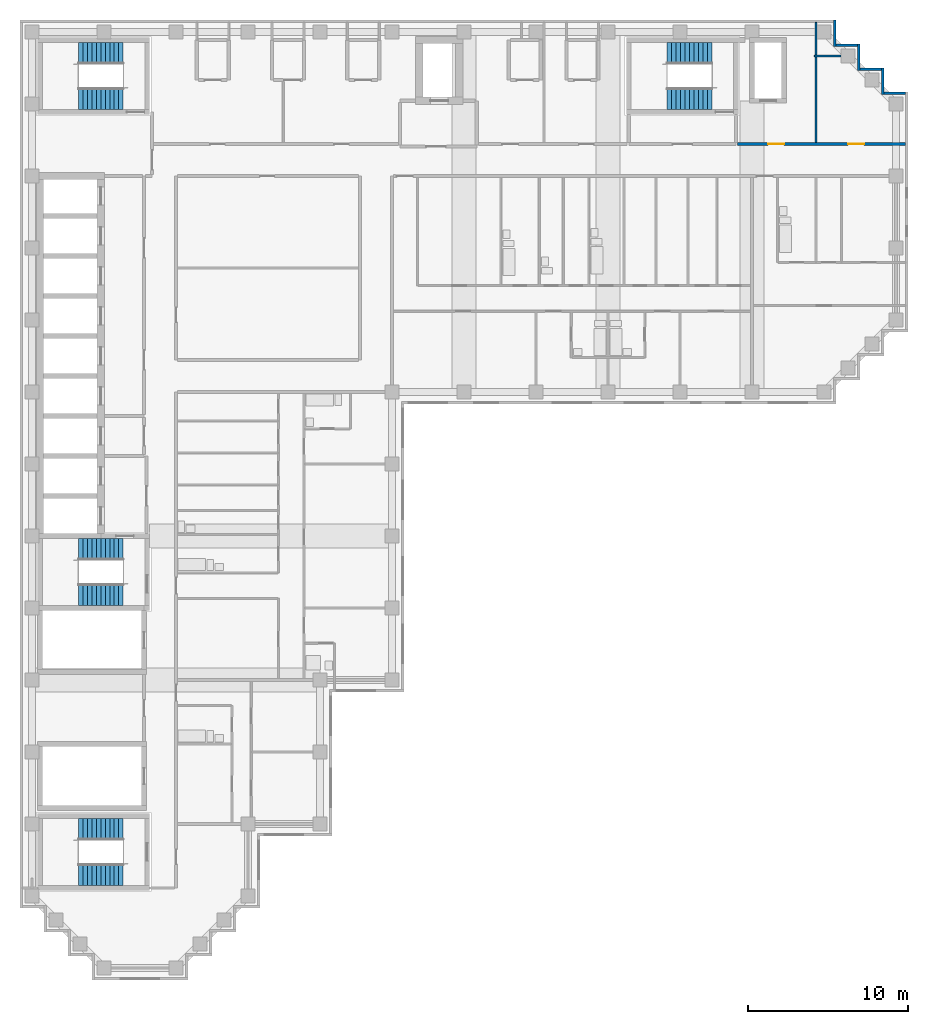
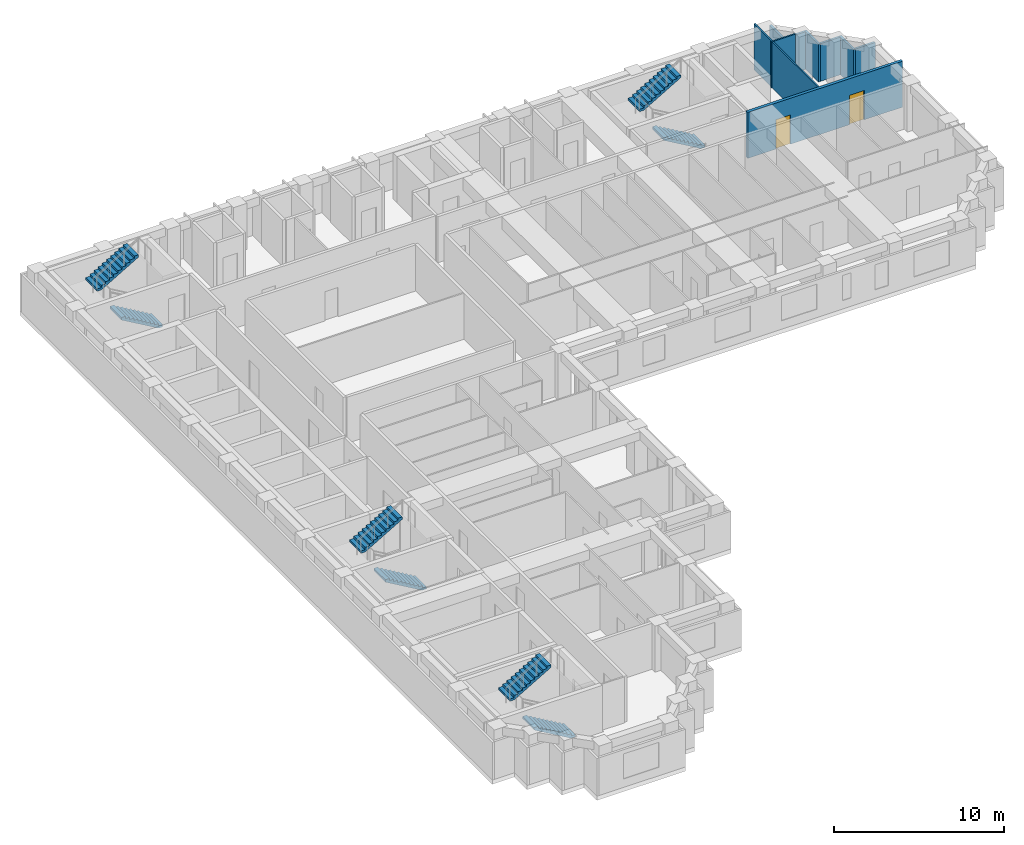
# One storey, part 8 of 10: 9 walls, 8 stair flights, 2 doors, 2 openings, 4 elements without a shape of their own.
"""IFC4 building model written with IfcOpenShell, lengths in metres."""

from ifc_helpers import new_model, si_unit, direction, frame, frame_2d, origin, place, context, subcontext, project, spatial, polyline, rectangle, outline, extrude, material, layer, layer_set, type_object, element, fill, aggregate, save


model = new_model("IFC4")

# Units and contexts
model_context = context("Model", 3, precision=1e-05, world=origin(), true_north=direction((0.0, 1.0)))
body_context = subcontext(model_context, "Body", "Model", "MODEL_VIEW")
ifc_project = project(units=[si_unit("LENGTHUNIT", "METRE"), si_unit("AREAUNIT", "SQUARE_METRE"), si_unit("VOLUMEUNIT", "CUBIC_METRE"), si_unit("PLANEANGLEUNIT", "RADIAN"), si_unit("MASSUNIT", "GRAM", prefix="KILO")], contexts=[model_context])

# Site, building, storey
site_placement = place(None, origin())
site = spatial("IfcSite", under=ifc_project, at=site_placement, CompositionType="ELEMENT")
building_placement = place(site_placement, origin())
building = spatial("IfcBuilding", under=site, at=building_placement, Name="Firuza Court", CompositionType="ELEMENT")
storey_placement = place(building_placement, frame((0.0, 0.0, 197.0)))
storey = spatial("IfcBuildingStorey", under=building, at=storey_placement, Name="L50", CompositionType="ELEMENT", Elevation=197.0)

# Wall, openings, doors
ifc_material_1 = material(Name="Blockwork, plastered both sides", Category="masonry")
ifc_layer_1 = layer(ifc_material_1, 0.199951171875)
ifc_layer_set_1 = layer_set([ifc_layer_1], Name="Blockwork, plastered both sides")
wall_type_1 = type_object("IfcWallType", Name="Corridor wall 200", PredefinedType="PARTITIONING", material=ifc_layer_set_1)
wall_1_placement = place(storey_placement, frame((44.10009765625, 51.5, 0.0), z_axis=(0.0, 0.0, 1.0), x_axis=(1.0, 0.0, 0.0)))
wall_1 = element("IfcWall", 1, at=wall_1_placement, inside=storey, type_object=wall_type_1, Name="Corridor wall 200 L50", PredefinedType="PARTITIONING", context=body_context, shape_type="SweptSolid", body=[
    extrude(rectangle(XDim=10.5, YDim=0.199951171875, at=frame_2d((5.25, 0.0))), origin(), (0.0, 0.0, 1.0), 3.300048828125),
])
opening_1_placement = place(wall_1_placement, frame((1.89990234375, 0.0, 0.0)))
opening_1 = element("IfcOpeningElement", 2, at=opening_1_placement, cuts=wall_1, Name="Opening D50063", PredefinedType="OPENING", context=body_context, shape_type="SweptSolid", body=[
    extrude(rectangle(XDim=1.0, YDim=2.10009765625, at=frame_2d((0.5, 1.050048828125))), frame((0.0, 0.11181640625, 0.0), z_axis=(0.0, -1.0, 0.0), x_axis=(1.0, 0.0, 0.0)), (0.0, 0.0, 1.0), 0.223876953125),
])
opening_2_placement = place(wall_1_placement, frame((6.89990234375, 0.0, 0.0)))
opening_2 = element("IfcOpeningElement", 3, at=opening_2_placement, cuts=wall_1, Name="Opening D50064", PredefinedType="OPENING", context=body_context, shape_type="SweptSolid", body=[
    extrude(rectangle(XDim=1.0, YDim=2.10009765625, at=frame_2d((0.5, 1.050048828125))), frame((0.0, 0.11181640625, 0.0), z_axis=(0.0, -1.0, 0.0), x_axis=(1.0, 0.0, 0.0)), (0.0, 0.0, 1.0), 0.223876953125),
])
ifc_material_2 = material(Name="Timber door leaf in hardwood frame", Category="wood")
door_type = type_object("IfcDoorType", Name="Store door 1000", OperationType="SINGLE_SWING_LEFT", PredefinedType="DOOR", material=ifc_material_2)
door_1_placement = place(opening_1_placement, origin())
door_1 = element("IfcDoor", 4, at=door_1_placement, inside=storey, type_object=door_type, Name="Valet store door", OperationType="SINGLE_SWING_LEFT", OverallHeight=2.10009765625, OverallWidth=1.0, PredefinedType="DOOR", context=body_context, shape_type="SweptSolid", body=[
    extrude(rectangle(XDim=1.0, YDim=2.10009765625, at=frame_2d((0.5, 1.050048828125))), frame((0.0, 0.02490234375, 0.0), z_axis=(0.0, -1.0, 0.0), x_axis=(1.0, 0.0, 0.0)), (0.0, 0.0, 1.0), 0.050048828125),
])
fill(opening_1, door_1)
door_2_placement = place(opening_2_placement, origin())
door_2 = element("IfcDoor", 5, at=door_2_placement, inside=storey, type_object=door_type, Name="Cleaner's store door", OperationType="SINGLE_SWING_LEFT", OverallHeight=2.10009765625, OverallWidth=1.0, PredefinedType="DOOR", context=body_context, shape_type="SweptSolid", body=[
    extrude(rectangle(XDim=1.0, YDim=2.10009765625, at=frame_2d((0.5, 1.050048828125))), frame((0.0, 0.02490234375, 0.0), z_axis=(0.0, -1.0, 0.0), x_axis=(1.0, 0.0, 0.0)), (0.0, 0.0, 1.0), 0.050048828125),
])
fill(opening_2, door_2)

# Walls
ifc_material_3 = material(Name="Timber stud partition, plasterboard both sides", Category="wood")
ifc_layer_2 = layer(ifc_material_3, 0.10009765625)
ifc_layer_set_2 = layer_set([ifc_layer_2], Name="Timber stud partition, plasterboard both sides")
wall_type_2 = type_object("IfcWallType", Name="Partition wall 100", PredefinedType="PARTITIONING", material=ifc_layer_set_2)
wall_2_placement = place(storey_placement, frame((49.0, 51.60009765625, 0.0), z_axis=(0.0, 0.0, 1.0), x_axis=(0.0, 1.0, 0.0)))
element("IfcWall", 6, at=wall_2_placement, inside=storey, type_object=wall_type_2, Name="Partition wall 100 L50", PredefinedType="PARTITIONING", context=body_context, shape_type="SweptSolid", body=[
    extrude(rectangle(XDim=7.5, YDim=0.10009765625, at=frame_2d((3.75, 0.0))), origin(), (0.0, 0.0, 1.0), 3.300048828125),
])
wall_3_placement = place(storey_placement, frame((48.89990234375, 57.0, 0.0), z_axis=(0.0, 0.0, 1.0), x_axis=(1.0, 0.0, 0.0)))
element("IfcWall", 7, at=wall_3_placement, inside=storey, type_object=wall_type_2, Name="Partition wall 100 L50", PredefinedType="PARTITIONING", context=body_context, shape_type="SweptSolid", body=[
    extrude(rectangle(XDim=1.650146484375, YDim=0.10009765625, at=frame_2d((0.8251953125, 0.0))), origin(), (0.0, 0.0, 1.0), 3.300048828125),
])
ifc_material_4 = material(Name="Ceramic tile", Category="ceramic")
ifc_layer_3 = layer(ifc_material_4, 0.02001953125)
ifc_material_5 = material(Name="Mineral wool insulation", Category="insulation")
ifc_layer_4 = layer(ifc_material_5, 0.050048828125)
ifc_material_6 = material(Name="Concrete C40/50 precast", Category="concrete")
ifc_layer_5 = layer(ifc_material_6, 0.080078125)
ifc_layer_set_3 = layer_set([ifc_layer_3, ifc_layer_4, ifc_layer_5], Name="Concrete C40/50 precast")
wall_type_3 = type_object("IfcWallType", Name="Precast cladding wall with turquoise TILE PANEL face 150", PredefinedType="STANDARD", material=ifc_layer_set_3)
wall_4_placement = place(storey_placement, frame((54.60009765625, 54.675048828125, 0.0), z_axis=(0.0, 0.0, 1.0), x_axis=(-1.0, 0.0, 0.0)))
element("IfcWall", 8, at=wall_4_placement, inside=storey, type_object=wall_type_3, Name="Facade wall L50 N", PredefinedType="STANDARD", context=body_context, shape_type="SweptSolid", body=[
    extrude(rectangle(XDim=1.35009765625, YDim=0.14990234375, at=frame_2d((0.675048828125, 0.0))), origin(), (0.0, 0.0, 1.0), 2.699951171875),
])
wall_5_placement = place(storey_placement, frame((53.175048828125, 54.60009765625, 0.0), z_axis=(0.0, 0.0, 1.0), x_axis=(0.0, 1.0, 0.0)))
element("IfcWall", 9, at=wall_5_placement, inside=storey, type_object=wall_type_3, Name="Facade wall L50 E", PredefinedType="STANDARD", context=body_context, shape_type="SweptSolid", body=[
    extrude(rectangle(XDim=1.64990234375, YDim=0.14990234375, at=frame_2d((0.824951171875, 0.0))), origin(), (0.0, 0.0, 1.0), 2.699951171875),
])
wall_6_placement = place(storey_placement, frame((53.10009765625, 56.175048828125, 0.0), z_axis=(0.0, 0.0, 1.0), x_axis=(-1.0, 0.0, 0.0)))
element("IfcWall", 10, at=wall_6_placement, inside=storey, type_object=wall_type_3, Name="Facade wall L50 N", PredefinedType="STANDARD", context=body_context, shape_type="SweptSolid", body=[
    extrude(rectangle(XDim=1.35009765625, YDim=0.14990234375, at=frame_2d((0.675048828125, 0.0))), origin(), (0.0, 0.0, 1.0), 2.699951171875),
])
wall_7_placement = place(storey_placement, frame((51.675048828125, 56.10009765625, 0.0), z_axis=(0.0, 0.0, 1.0), x_axis=(0.0, 1.0, 0.0)))
element("IfcWall", 11, at=wall_7_placement, inside=storey, type_object=wall_type_3, Name="Facade wall L50 E", PredefinedType="STANDARD", context=body_context, shape_type="SweptSolid", body=[
    extrude(rectangle(XDim=1.64990234375, YDim=0.14990234375, at=frame_2d((0.824951171875, 0.0))), origin(), (0.0, 0.0, 1.0), 2.699951171875),
])
wall_8_placement = place(storey_placement, frame((51.60009765625, 57.675048828125, 0.0), z_axis=(0.0, 0.0, 1.0), x_axis=(-1.0, 0.0, 0.0)))
element("IfcWall", 12, at=wall_8_placement, inside=storey, type_object=wall_type_3, Name="Facade wall L50 N", PredefinedType="STANDARD", context=body_context, shape_type="SweptSolid", body=[
    extrude(rectangle(XDim=1.35009765625, YDim=0.14990234375, at=frame_2d((0.675048828125, 0.0))), origin(), (0.0, 0.0, 1.0), 2.699951171875),
])
wall_9_placement = place(storey_placement, frame((50.175048828125, 57.60009765625, 0.0), z_axis=(0.0, 0.0, 1.0), x_axis=(0.0, 1.0, 0.0)))
element("IfcWall", 13, at=wall_9_placement, inside=storey, type_object=wall_type_3, Name="Facade wall L50 E", PredefinedType="STANDARD", context=body_context, shape_type="SweptSolid", body=[
    extrude(rectangle(XDim=1.64990234375, YDim=0.14990234375, at=frame_2d((0.824951171875, 0.0))), origin(), (0.0, 0.0, 1.0), 2.699951171875),
])

# Stair, stair flights
ifc_material_7 = material(Name="Concrete C40/50 precast", Category="concrete")
stair_type = type_object("IfcStairType", Name="Stair 1350 x 3600 2 flights", PredefinedType="HALF_TURN_STAIR", material=ifc_material_7)
stair_1_placement = place(storey_placement, origin())
stair_1 = element("IfcStair", 14, at=stair_1_placement, inside=storey, type_object=stair_type, Name="Stair 1 L50", PredefinedType="HALF_TURN_STAIR")
ifc_material_8 = material(Name="Concrete C40/50 precast", Category="concrete")
stair_flight_type = type_object("IfcStairFlightType", Name="Flight 1350 riser 163.6", PredefinedType="STRAIGHT", material=ifc_material_8)
stair_flight_1_placement = place(storey_placement, frame((42.5, 54.324951171875, 0.0), z_axis=(0.0, 0.0, 1.0), x_axis=(-1.0, 0.0, 0.0)))
stair_flight_1 = element("IfcStairFlight", 15, at=stair_flight_1_placement, type_object=stair_flight_type, Name="S1 flight 1", NumberOfRisers=11, NumberOfTreads=10, PredefinedType="STRAIGHT", RiserHeight=0.163636364, TreadLength=0.28, context=body_context, shape_type="SweptSolid", body=[
    extrude(outline(polyline([(0.0, 0.0), (0.0, 0.16357421875), (0.280029296875, 0.16357421875), (0.280029296875, 0.327392578125), (0.56005859375, 0.327392578125), (0.56005859375, 0.490966796875), (0.840087890625, 0.490966796875), (0.840087890625, 0.654541015625), (1.1201171875, 0.654541015625), (1.1201171875, 0.818115234375), (1.39990234375, 0.818115234375), (1.39990234375, 0.98193359375), (1.679931640625, 0.98193359375), (1.679931640625, 1.1455078125), (1.9599609375, 1.1455078125), (1.9599609375, 1.30908203125), (2.239990234375, 1.30908203125), (2.239990234375, 1.47265625), (2.52001953125, 1.47265625), (2.52001953125, 1.636474609375), (2.800048828125, 1.636474609375), (2.800048828125, 1.800048828125), (2.800048828125, 1.462646484375), (0.297119140625, 0.0), (0.0, 0.0)])), frame((0.0, 0.675048828125, 0.0), z_axis=(0.0, -1.0, 0.0), x_axis=(1.0, 0.0, 0.0)), (0.0, 0.0, 1.0), 1.35009765625),
])
stair_flight_2_placement = place(storey_placement, frame((39.699951171875, 57.175048828125, 1.800048828125), z_axis=(0.0, 0.0, 1.0), x_axis=(1.0, 0.0, 0.0)))
stair_flight_2 = element("IfcStairFlight", 16, at=stair_flight_2_placement, type_object=stair_flight_type, Name="S1 flight 2", NumberOfRisers=11, NumberOfTreads=10, PredefinedType="STRAIGHT", RiserHeight=0.163636364, TreadLength=0.28, context=body_context, shape_type="SweptSolid", body=[
    extrude(outline(polyline([(0.0, 0.0), (0.0, 0.16357421875), (0.280029296875, 0.16357421875), (0.280029296875, 0.327392578125), (0.56005859375, 0.327392578125), (0.56005859375, 0.490966796875), (0.840087890625, 0.490966796875), (0.840087890625, 0.654541015625), (1.1201171875, 0.654541015625), (1.1201171875, 0.818115234375), (1.39990234375, 0.818115234375), (1.39990234375, 0.98193359375), (1.679931640625, 0.98193359375), (1.679931640625, 1.1455078125), (1.9599609375, 1.1455078125), (1.9599609375, 1.30908203125), (2.239990234375, 1.30908203125), (2.239990234375, 1.47265625), (2.52001953125, 1.47265625), (2.52001953125, 1.636474609375), (2.800048828125, 1.636474609375), (2.800048828125, 1.800048828125), (2.800048828125, 1.462646484375), (0.297119140625, 0.0), (0.0, 0.0)])), frame((0.0, 0.675048828125, 0.0), z_axis=(0.0, -1.0, 0.0), x_axis=(1.0, 0.0, 0.0)), (0.0, 0.0, 1.0), 1.35009765625),
])
aggregate(stair_1, [stair_flight_1, stair_flight_2])

stair_2_placement = place(storey_placement, origin())
stair_2 = element("IfcStair", 17, at=stair_2_placement, inside=storey, type_object=stair_type, Name="Stair 2 L50", PredefinedType="HALF_TURN_STAIR")
stair_flight_3_placement = place(storey_placement, frame((5.699951171875, 23.324951171875, 0.0), z_axis=(0.0, 0.0, 1.0), x_axis=(-1.0, 0.0, 0.0)))
stair_flight_3 = element("IfcStairFlight", 18, at=stair_flight_3_placement, type_object=stair_flight_type, Name="S2 flight 1", NumberOfRisers=11, NumberOfTreads=10, PredefinedType="STRAIGHT", RiserHeight=0.163636364, TreadLength=0.28, context=body_context, shape_type="SweptSolid", body=[
    extrude(outline(polyline([(0.0, 0.0), (0.0, 0.16357421875), (0.280029296875, 0.16357421875), (0.280029296875, 0.327392578125), (0.56005859375, 0.327392578125), (0.56005859375, 0.490966796875), (0.840087890625, 0.490966796875), (0.840087890625, 0.654541015625), (1.1201171875, 0.654541015625), (1.1201171875, 0.818115234375), (1.39990234375, 0.818115234375), (1.39990234375, 0.98193359375), (1.679931640625, 0.98193359375), (1.679931640625, 1.1455078125), (1.9599609375, 1.1455078125), (1.9599609375, 1.30908203125), (2.239990234375, 1.30908203125), (2.239990234375, 1.47265625), (2.52001953125, 1.47265625), (2.52001953125, 1.636474609375), (2.800048828125, 1.636474609375), (2.800048828125, 1.800048828125), (2.800048828125, 1.462646484375), (0.297119140625, 0.0), (0.0, 0.0)])), frame((0.0, 0.675048828125, 0.0), z_axis=(0.0, -1.0, 0.0), x_axis=(1.0, 0.0, 0.0)), (0.0, 0.0, 1.0), 1.35009765625),
])
stair_flight_4_placement = place(storey_placement, frame((2.89990234375, 26.175048828125, 1.800048828125), z_axis=(0.0, 0.0, 1.0), x_axis=(1.0, 0.0, 0.0)))
stair_flight_4 = element("IfcStairFlight", 19, at=stair_flight_4_placement, type_object=stair_flight_type, Name="S2 flight 2", NumberOfRisers=11, NumberOfTreads=10, PredefinedType="STRAIGHT", RiserHeight=0.163636364, TreadLength=0.28, context=body_context, shape_type="SweptSolid", body=[
    extrude(outline(polyline([(0.0, 0.0), (0.0, 0.16357421875), (0.280029296875, 0.16357421875), (0.280029296875, 0.327392578125), (0.56005859375, 0.327392578125), (0.56005859375, 0.490966796875), (0.840087890625, 0.490966796875), (0.840087890625, 0.654541015625), (1.1201171875, 0.654541015625), (1.1201171875, 0.818115234375), (1.39990234375, 0.818115234375), (1.39990234375, 0.98193359375), (1.679931640625, 0.98193359375), (1.679931640625, 1.1455078125), (1.9599609375, 1.1455078125), (1.9599609375, 1.30908203125), (2.239990234375, 1.30908203125), (2.239990234375, 1.47265625), (2.52001953125, 1.47265625), (2.52001953125, 1.636474609375), (2.800048828125, 1.636474609375), (2.800048828125, 1.800048828125), (2.800048828125, 1.462646484375), (0.297119140625, 0.0), (0.0, 0.0)])), frame((0.0, 0.675048828125, 0.0), z_axis=(0.0, -1.0, 0.0), x_axis=(1.0, 0.0, 0.0)), (0.0, 0.0, 1.0), 1.35009765625),
])
aggregate(stair_2, [stair_flight_3, stair_flight_4])

stair_3_placement = place(storey_placement, origin())
stair_3 = element("IfcStair", 20, at=stair_3_placement, inside=storey, type_object=stair_type, Name="Stair 3 L50", PredefinedType="HALF_TURN_STAIR")
stair_flight_5_placement = place(storey_placement, frame((5.699951171875, 54.324951171875, 0.0), z_axis=(0.0, 0.0, 1.0), x_axis=(-1.0, 0.0, 0.0)))
stair_flight_5 = element("IfcStairFlight", 21, at=stair_flight_5_placement, type_object=stair_flight_type, Name="S3 flight 1", NumberOfRisers=11, NumberOfTreads=10, PredefinedType="STRAIGHT", RiserHeight=0.163636364, TreadLength=0.28, context=body_context, shape_type="SweptSolid", body=[
    extrude(outline(polyline([(0.0, 0.0), (0.0, 0.16357421875), (0.280029296875, 0.16357421875), (0.280029296875, 0.327392578125), (0.56005859375, 0.327392578125), (0.56005859375, 0.490966796875), (0.840087890625, 0.490966796875), (0.840087890625, 0.654541015625), (1.1201171875, 0.654541015625), (1.1201171875, 0.818115234375), (1.39990234375, 0.818115234375), (1.39990234375, 0.98193359375), (1.679931640625, 0.98193359375), (1.679931640625, 1.1455078125), (1.9599609375, 1.1455078125), (1.9599609375, 1.30908203125), (2.239990234375, 1.30908203125), (2.239990234375, 1.47265625), (2.52001953125, 1.47265625), (2.52001953125, 1.636474609375), (2.800048828125, 1.636474609375), (2.800048828125, 1.800048828125), (2.800048828125, 1.462646484375), (0.297119140625, 0.0), (0.0, 0.0)])), frame((0.0, 0.675048828125, 0.0), z_axis=(0.0, -1.0, 0.0), x_axis=(1.0, 0.0, 0.0)), (0.0, 0.0, 1.0), 1.35009765625),
])
stair_flight_6_placement = place(storey_placement, frame((2.89990234375, 57.175048828125, 1.800048828125), z_axis=(0.0, 0.0, 1.0), x_axis=(1.0, 0.0, 0.0)))
stair_flight_6 = element("IfcStairFlight", 22, at=stair_flight_6_placement, type_object=stair_flight_type, Name="S3 flight 2", NumberOfRisers=11, NumberOfTreads=10, PredefinedType="STRAIGHT", RiserHeight=0.163636364, TreadLength=0.28, context=body_context, shape_type="SweptSolid", body=[
    extrude(outline(polyline([(0.0, 0.0), (0.0, 0.16357421875), (0.280029296875, 0.16357421875), (0.280029296875, 0.327392578125), (0.56005859375, 0.327392578125), (0.56005859375, 0.490966796875), (0.840087890625, 0.490966796875), (0.840087890625, 0.654541015625), (1.1201171875, 0.654541015625), (1.1201171875, 0.818115234375), (1.39990234375, 0.818115234375), (1.39990234375, 0.98193359375), (1.679931640625, 0.98193359375), (1.679931640625, 1.1455078125), (1.9599609375, 1.1455078125), (1.9599609375, 1.30908203125), (2.239990234375, 1.30908203125), (2.239990234375, 1.47265625), (2.52001953125, 1.47265625), (2.52001953125, 1.636474609375), (2.800048828125, 1.636474609375), (2.800048828125, 1.800048828125), (2.800048828125, 1.462646484375), (0.297119140625, 0.0), (0.0, 0.0)])), frame((0.0, 0.675048828125, 0.0), z_axis=(0.0, -1.0, 0.0), x_axis=(1.0, 0.0, 0.0)), (0.0, 0.0, 1.0), 1.35009765625),
])
aggregate(stair_3, [stair_flight_5, stair_flight_6])

stair_4_placement = place(storey_placement, origin())
stair_4 = element("IfcStair", 23, at=stair_4_placement, inside=storey, type_object=stair_type, Name="Stair 5 L50", PredefinedType="HALF_TURN_STAIR")
stair_flight_7_placement = place(storey_placement, frame((5.699951171875, 5.824951171875, 0.0), z_axis=(0.0, 0.0, 1.0), x_axis=(-1.0, 0.0, 0.0)))
stair_flight_7 = element("IfcStairFlight", 24, at=stair_flight_7_placement, type_object=stair_flight_type, Name="S5 flight 1", NumberOfRisers=11, NumberOfTreads=10, PredefinedType="STRAIGHT", RiserHeight=0.163636364, TreadLength=0.28, context=body_context, shape_type="SweptSolid", body=[
    extrude(outline(polyline([(0.0, 0.0), (0.0, 0.16357421875), (0.280029296875, 0.16357421875), (0.280029296875, 0.327392578125), (0.56005859375, 0.327392578125), (0.56005859375, 0.490966796875), (0.840087890625, 0.490966796875), (0.840087890625, 0.654541015625), (1.1201171875, 0.654541015625), (1.1201171875, 0.818115234375), (1.39990234375, 0.818115234375), (1.39990234375, 0.98193359375), (1.679931640625, 0.98193359375), (1.679931640625, 1.1455078125), (1.9599609375, 1.1455078125), (1.9599609375, 1.30908203125), (2.239990234375, 1.30908203125), (2.239990234375, 1.47265625), (2.52001953125, 1.47265625), (2.52001953125, 1.636474609375), (2.800048828125, 1.636474609375), (2.800048828125, 1.800048828125), (2.800048828125, 1.462646484375), (0.297119140625, 0.0), (0.0, 0.0)])), frame((0.0, 0.675048828125, 0.0), z_axis=(0.0, -1.0, 0.0), x_axis=(1.0, 0.0, 0.0)), (0.0, 0.0, 1.0), 1.35009765625),
])
stair_flight_8_placement = place(storey_placement, frame((2.89990234375, 8.675048828125, 1.800048828125), z_axis=(0.0, 0.0, 1.0), x_axis=(1.0, 0.0, 0.0)))
stair_flight_8 = element("IfcStairFlight", 25, at=stair_flight_8_placement, type_object=stair_flight_type, Name="S5 flight 2", NumberOfRisers=11, NumberOfTreads=10, PredefinedType="STRAIGHT", RiserHeight=0.163636364, TreadLength=0.28, context=body_context, shape_type="SweptSolid", body=[
    extrude(outline(polyline([(0.0, 0.0), (0.0, 0.16357421875), (0.280029296875, 0.16357421875), (0.280029296875, 0.327392578125), (0.56005859375, 0.327392578125), (0.56005859375, 0.490966796875), (0.840087890625, 0.490966796875), (0.840087890625, 0.654541015625), (1.1201171875, 0.654541015625), (1.1201171875, 0.818115234375), (1.39990234375, 0.818115234375), (1.39990234375, 0.98193359375), (1.679931640625, 0.98193359375), (1.679931640625, 1.1455078125), (1.9599609375, 1.1455078125), (1.9599609375, 1.30908203125), (2.239990234375, 1.30908203125), (2.239990234375, 1.47265625), (2.52001953125, 1.47265625), (2.52001953125, 1.636474609375), (2.800048828125, 1.636474609375), (2.800048828125, 1.800048828125), (2.800048828125, 1.462646484375), (0.297119140625, 0.0), (0.0, 0.0)])), frame((0.0, 0.675048828125, 0.0), z_axis=(0.0, -1.0, 0.0), x_axis=(1.0, 0.0, 0.0)), (0.0, 0.0, 1.0), 1.35009765625),
])
aggregate(stair_4, [stair_flight_7, stair_flight_8])

save(model, "model.ifc")
